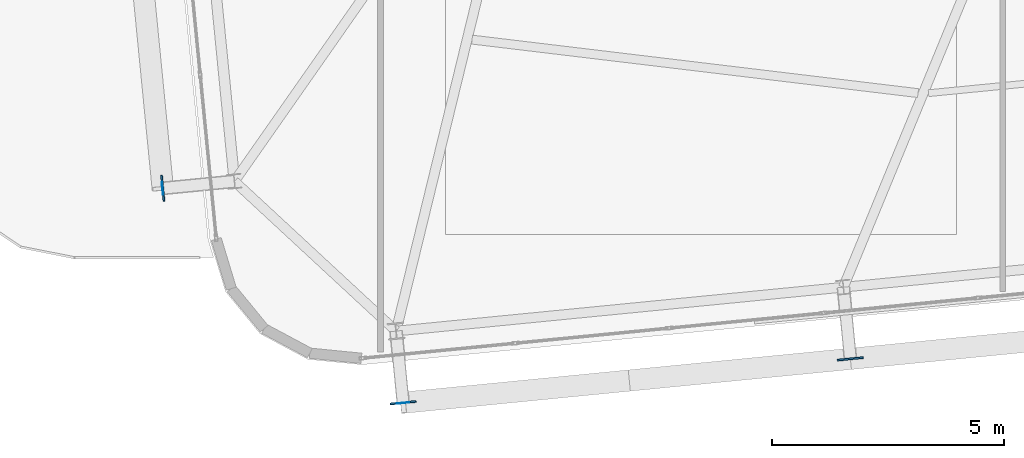
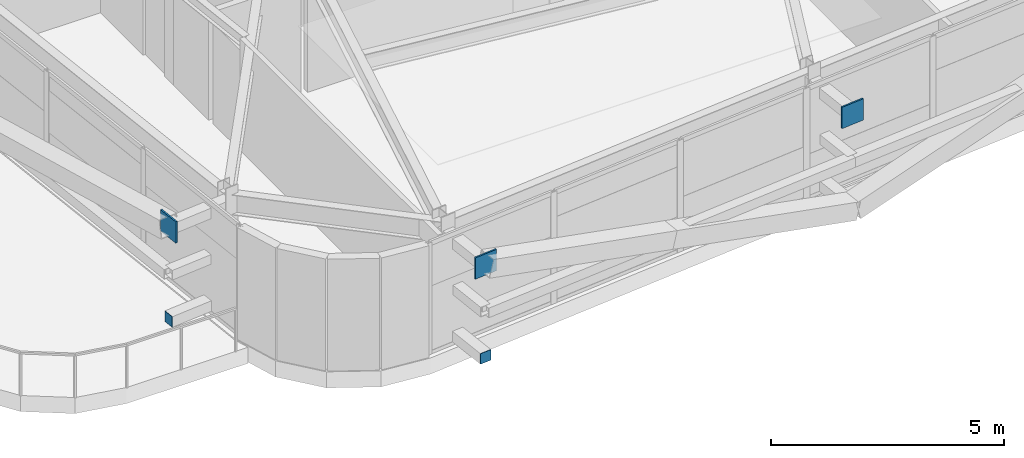
# One storey, part 36 of 51: 5 plates.
"""IFC4 building model written with IfcOpenShell, lengths in metres."""

import ifcopenshell
import ifcopenshell.guid

model = None  # the IFC model being written
_history = None  # IfcOwnerHistory: only IFC2X3 demands one
_inside = {}  # id of a spatial element -> (the spatial element, [elements in it])
_under = {}  # id of a project, library or spatial element -> (it, [spatial elements below it])
_declared = {}  # id of a project -> (the project, [libraries it declares])
_typed = {}  # id of a type object -> (the type object, [elements of that type])
_made_of = {}  # id of a material, layer set ... -> (it, [elements and type objects made of it])


def new_model(schema):
    """Start an empty IFC model of exactly this schema.

    Asked for "IFC4X3", IfcOpenShell would pick the latest addendum, in which some entities
    have other attributes; the version numbers below select the first issue.
    IFC2X3 requires an IfcOwnerHistory on every rooted entity: one is made here for all.
    """
    global model, _history
    if schema == "IFC4X3":
        model = ifcopenshell.file(schema_version=(4, 3, 0, 0))
    else:
        model = ifcopenshell.file(schema=schema)
    _inside.clear()
    _under.clear()
    _declared.clear()
    _typed.clear()
    _made_of.clear()
    _history = None
    if model.schema == "IFC2X3":
        org = make("IfcOrganization", Name="unknown")
        user = make(
            "IfcPersonAndOrganization",
            ThePerson=make("IfcPerson", FamilyName="unknown"),
            TheOrganization=org,
        )
        app = make(
            "IfcApplication",
            ApplicationDeveloper=org,
            Version="unknown",
            ApplicationFullName="unknown",
            ApplicationIdentifier="unknown",
        )
        _history = make(
            "IfcOwnerHistory",
            OwningUser=user,
            OwningApplication=app,
            ChangeAction="ADDED",
            CreationDate=0,
        )
    return model


def make(cls, **values):
    """One entity of the class cls with the attributes given. An attribute that is None is left unset."""
    return model.create_entity(
        cls, **{name: value for name, value in values.items() if value is not None}
    )


def rooted(cls, **values):
    """An entity with a GlobalId (a new one), such as an element, a storey or a relation."""
    return make(cls, GlobalId=ifcopenshell.guid.new(), OwnerHistory=_history, **values)


def si_unit(unit_type, name, prefix=None):
    """IfcSIUnit, for example si_unit("LENGTHUNIT", "METRE", prefix="MILLI")."""
    return make("IfcSIUnit", UnitType=unit_type, Prefix=prefix, Name=name)


def assignment(units):
    """IfcUnitAssignment: the units of a project."""
    return None if units is None else make("IfcUnitAssignment", Units=units)


def point(xyz):
    """IfcCartesianPoint."""
    return None if xyz is None else make("IfcCartesianPoint", Coordinates=xyz)


def direction(xyz):
    """IfcDirection."""
    return None if xyz is None else make("IfcDirection", DirectionRatios=xyz)


def frame(location, z_axis=None, x_axis=None):
    """IfcAxis2Placement3D, a coordinate frame: its origin and axes. An axis left out is left unset."""
    return make(
        "IfcAxis2Placement3D",
        Location=point(location),
        Axis=direction(z_axis),
        RefDirection=direction(x_axis),
    )


def frame_2d(location, x_axis=None):
    """IfcAxis2Placement2D, a coordinate frame in the plane: its origin and x axis."""
    return make(
        "IfcAxis2Placement2D", Location=point(location), RefDirection=direction(x_axis)
    )


def origin():
    """The frame at (0, 0, 0) with its axes left unset."""
    return frame((0.0, 0.0, 0.0))


def origin_2d():
    """The frame at (0, 0) in the plane with its x axis left unset."""
    return frame_2d((0.0, 0.0))


def place(relative_to, where):
    """IfcLocalPlacement: puts the frame where relative to a parent placement (None: the world)."""
    return make(
        "IfcLocalPlacement", PlacementRelTo=relative_to, RelativePlacement=where
    )


def context(
    kind, dimensions, precision=None, world=None, true_north=None, identifier=None
):
    """IfcGeometricRepresentationContext, for example the 3D "Model" context."""
    return make(
        "IfcGeometricRepresentationContext",
        ContextIdentifier=identifier,
        ContextType=kind,
        CoordinateSpaceDimension=dimensions,
        Precision=precision,
        WorldCoordinateSystem=world,
        TrueNorth=true_north,
    )


def subcontext(parent, identifier, kind, view, scale=None):
    """IfcGeometricRepresentationSubContext, for example "Body" below "Model"."""
    return make(
        "IfcGeometricRepresentationSubContext",
        ContextIdentifier=identifier,
        ContextType=kind,
        ParentContext=parent,
        TargetScale=scale,
        TargetView=view,
    )


def project(units=None, contexts=None):
    """IfcProject with its units and contexts."""
    return rooted(
        "IfcProject",
        Name="project",
        RepresentationContexts=contexts,
        UnitsInContext=assignment(units),
    )


def spatial(cls, under=None, at=None, **own):
    """A site, building, storey or space (cls), placed at a placement, below another one or the project."""
    s = rooted(cls, ObjectPlacement=at, **own)
    if under is not None:
        _under.setdefault(under.id(), (under, []))[1].append(s)
    return s


def profile(cls, at=None, kind="AREA", **sizes):
    """A parametric profile (cls). Its sizes go by their IFC names, for example OverallWidth=200.0."""
    return make(cls, ProfileType=kind, Position=at, **sizes)


def rectangle(**sizes):
    """IfcRectangleProfileDef."""
    return profile("IfcRectangleProfileDef", **sizes)


def extrude(swept, where, along, depth):
    """IfcExtrudedAreaSolid: the profile swept, set in the frame where, extruded along a direction by depth."""
    return make(
        "IfcExtrudedAreaSolid",
        SweptArea=swept,
        Position=where,
        ExtrudedDirection=direction(along),
        Depth=depth,
    )


def shape(context_of_items, identifier, shape_type, items):
    """IfcShapeRepresentation: the items that make up one representation, for example the "Body"."""
    return make(
        "IfcShapeRepresentation",
        ContextOfItems=context_of_items,
        RepresentationIdentifier=identifier,
        RepresentationType=shape_type,
        Items=items,
    )


def source(mapping_origin, context_of_items, identifier, shape_type, items):
    """IfcRepresentationMap: a shape defined once, which mapped items show again and again."""
    return make(
        "IfcRepresentationMap",
        MappingOrigin=mapping_origin,
        MappedRepresentation=shape(context_of_items, identifier, shape_type, items),
    )


def transform(
    local_origin,
    x_axis=None,
    y_axis=None,
    z_axis=None,
    scale=None,
    scale2=None,
    scale3=None,
    uniform=True,
):
    """IfcCartesianTransformationOperator3D, or its non-uniform kind. x_axis, y_axis, z_axis: its Axis1, 2, 3."""
    if uniform:
        return make(
            "IfcCartesianTransformationOperator3D",
            Axis1=direction(x_axis),
            Axis2=direction(y_axis),
            LocalOrigin=point(local_origin),
            Scale=scale,
            Axis3=direction(z_axis),
        )
    return make(
        "IfcCartesianTransformationOperator3DnonUniform",
        Axis1=direction(x_axis),
        Axis2=direction(y_axis),
        LocalOrigin=point(local_origin),
        Scale=scale,
        Axis3=direction(z_axis),
        Scale2=scale2,
        Scale3=scale3,
    )


def mapped(mapping_source, mapping_target):
    """IfcMappedItem: shows the shape of a source again, moved by a transform."""
    return make(
        "IfcMappedItem", MappingSource=mapping_source, MappingTarget=mapping_target
    )


def material(Name=None, Category=None):
    """IfcMaterial."""
    return make("IfcMaterial", Name=Name, Category=Category)


def layer(
    of_material, thickness, ventilated=None, Name=None, Category=None, Priority=None
):
    """IfcMaterialLayer: one layer of a wall or slab, of a material (None: an air gap)."""
    return make(
        "IfcMaterialLayer",
        Material=of_material,
        LayerThickness=thickness,
        IsVentilated=ventilated,
        Name=Name,
        Category=Category,
        Priority=Priority,
    )


def layer_set(layers, Name=None):
    """IfcMaterialLayerSet."""
    return make("IfcMaterialLayerSet", MaterialLayers=layers, LayerSetName=Name)


def made_of(thing, what):
    """Note that an element or type object is made of a material, layer set ...; save() writes the relation."""
    if what is not None:
        _made_of.setdefault(what.id(), (what, []))[1].append(thing)
    return thing


def type_object(cls, material=None, **own):
    """A type object (cls), such as IfcWallType, which elements share."""
    return made_of(rooted(cls, **own), material)


def element(
    cls,
    number,
    at=None,
    inside=None,
    cuts=None,
    type_object=None,
    material=None,
    context=None,
    identifier="Body",
    shape_type=None,
    held_by="IfcProductDefinitionShape",
    body=None,
    shapes=None,
    **own,
):
    """One element of the class cls, such as IfcWall. Its Tag is "e" and its number.

    at: its placement. inside: the storey or other place that contains it. cuts: it is an
    opening in that element (IfcRelVoidsElement). A single representation is given by context,
    identifier, shape_type and body (its items); several are given by shapes. held_by: the class
    of the entity that holds the representations. save() writes the other relations.
    """
    e = rooted(cls, Tag="e%d" % number, ObjectPlacement=at, **own)
    if body is not None:
        shapes = [shape(context, identifier, shape_type, body)]
    if shapes is not None:
        e.Representation = make(held_by, Representations=shapes)
    if inside is not None:
        _inside.setdefault(inside.id(), (inside, []))[1].append(e)
    if cuts is not None:
        rooted(
            "IfcRelVoidsElement", RelatingBuildingElement=cuts, RelatedOpeningElement=e
        )
    if type_object is not None:
        _typed.setdefault(type_object.id(), (type_object, []))[1].append(e)
    return made_of(e, material)


def aggregate(whole, parts):
    """IfcRelAggregates: a whole, such as a stair, and the parts it consists of."""
    return rooted("IfcRelAggregates", RelatingObject=whole, RelatedObjects=parts)


def save(model, path):
    """Write the relations noted so far, then the file.

    IfcRelAggregates (storeys below a building ...), IfcRelContainedInSpatialStructure (elements
    in a storey), IfcRelDefinesByType, IfcRelAssociatesMaterial and IfcRelDeclares: one each for
    every whole, place, type object, material and project.
    """
    for whole, parts in _under.values():
        aggregate(whole, parts)
    for where, things in _inside.values():
        rooted(
            "IfcRelContainedInSpatialStructure",
            RelatedElements=things,
            RelatingStructure=where,
        )
    for kind, things in _typed.values():
        rooted("IfcRelDefinesByType", RelatedObjects=things, RelatingType=kind)
    for what, things in _made_of.values():
        rooted("IfcRelAssociatesMaterial", RelatedObjects=things, RelatingMaterial=what)
    for by, libraries in _declared.values():
        rooted("IfcRelDeclares", RelatingContext=by, RelatedDefinitions=libraries)
    model.write(path)


model = new_model("IFC4")

# Units and contexts
model_context = context("Model", 3, precision=1e-05, world=origin(), true_north=direction((0.0, 1.0)))
body_context = subcontext(model_context, "Body", "Model", "MODEL_VIEW")
ifc_project = project(units=[si_unit("LENGTHUNIT", "METRE"), si_unit("AREAUNIT", "SQUARE_METRE"), si_unit("VOLUMEUNIT", "CUBIC_METRE"), si_unit("PLANEANGLEUNIT", "RADIAN"), si_unit("MASSUNIT", "GRAM", prefix="KILO")], contexts=[model_context])

# Site, building, storey
site_placement = place(None, origin())
site = spatial("IfcSite", under=ifc_project, at=site_placement, CompositionType="ELEMENT")
building_placement = place(site_placement, origin())
building = spatial("IfcBuilding", under=site, at=building_placement, Name="Taldren Reach Tower", CompositionType="ELEMENT")
storey_placement = place(building_placement, frame((0.0, 0.0, 65.10009765625)))
storey = spatial("IfcBuildingStorey", under=building, at=storey_placement, Name="L19", CompositionType="ELEMENT", Elevation=65.10009765625)

# Plates
ifc_material = material(Name="Steel Gr 450 (C450L0)", Category="steel")
ifc_layer_1 = layer(ifc_material, 0.0400390625)
ifc_layer_set_1 = layer_set([ifc_layer_1], Name="Steel Gr 450 (C450L0)")
plate_type_1 = type_object("IfcPlateType", Name="PL-GUSSET-40", PredefinedType="SHEET", material=ifc_layer_set_1)
shared_shape_1 = source(origin(), body_context, "Body", "SweptSolid", [
    extrude(rectangle(XDim=0.56005859375, YDim=0.0400390625, at=origin_2d()), origin(), (0.0, 0.0, 1.0), 0.56005859375),
])
for number, where, z_axis, x_axis, name in (
    (1, (15.08544921875, -1.62255859375, 2.369873046875), (0.0, 0.0, 1.0), (0.995227399982, 0.097582899759, 0.0), "Exoskeleton star-node gusset plate B2-S1 L19"),
    (2, (24.71923828125, -0.677978515625, 2.369873046875), (0.0, 0.0, 1.0), (0.995227399982, 0.097582899759, 0.0), "Exoskeleton star-node gusset plate B2-S2 L19"),
    (3, (9.91015625, 2.99462890625, 2.369873046875), (0.0, 0.0, 1.0), (-0.097582899759, 0.995227399982, 0.0), "Exoskeleton star-node gusset plate B2-W1 L19"),
):
    element("IfcPlate", number, at=place(storey_placement, frame(where, z_axis=z_axis, x_axis=x_axis)), inside=storey, type_object=plate_type_1, Name=name, PredefinedType="SHEET", context=body_context, shape_type="MappedRepresentation", body=[
        mapped(shared_shape_1, transform((0.0, 0.0, 0.0), scale=1.0)),
    ])
ifc_layer_2 = layer(ifc_material, 0.011962890625)
ifc_layer_set_2 = layer_set([ifc_layer_2], Name="Steel Gr 450 (C450L0)")
plate_type_2 = type_object("IfcPlateType", Name="PL-CAP-275", PredefinedType="SHEET", material=ifc_layer_set_2)
shared_shape_2 = source(origin(), body_context, "Body", "SweptSolid", [
    extrude(rectangle(XDim=0.27490234375, YDim=0.011962890625, at=origin_2d()), origin(), (0.0, 0.0, 1.0), 0.27490234375),
])
plate_1_placement = place(storey_placement, frame((15.0859375, -1.62841796875, 0.08251953125), z_axis=(0.0, 0.0, 1.0), x_axis=(0.995227399982, 0.097582899759, 0.0)))
element("IfcPlate", 4, at=plate_1_placement, inside=storey, type_object=plate_type_2, Name="Tie strut end cap plate B2-S1 L19", PredefinedType="SHEET", context=body_context, shape_type="MappedRepresentation", body=[
    mapped(shared_shape_2, transform((0.0, 0.0, 0.0), scale=1.0)),
])
shared_shape_3 = source(origin(), body_context, "Body", "SweptSolid", [
    extrude(rectangle(XDim=0.011962890625, YDim=0.27490234375, at=origin_2d()), origin(), (0.0, 0.0, 1.0), 0.27490234375),
])
plate_2_placement = place(storey_placement, frame((9.904296875, 2.993896484375, 0.08251953125), z_axis=(0.0, 0.0, 1.0), x_axis=(0.995227399982, 0.097582899759, 0.0)))
element("IfcPlate", 5, at=plate_2_placement, inside=storey, type_object=plate_type_2, Name="Tie strut end cap plate B2-W1 L19", PredefinedType="SHEET", context=body_context, shape_type="MappedRepresentation", body=[
    mapped(shared_shape_3, transform((0.0, 0.0, 0.0), scale=1.0)),
])

save(model, "model.ifc")
